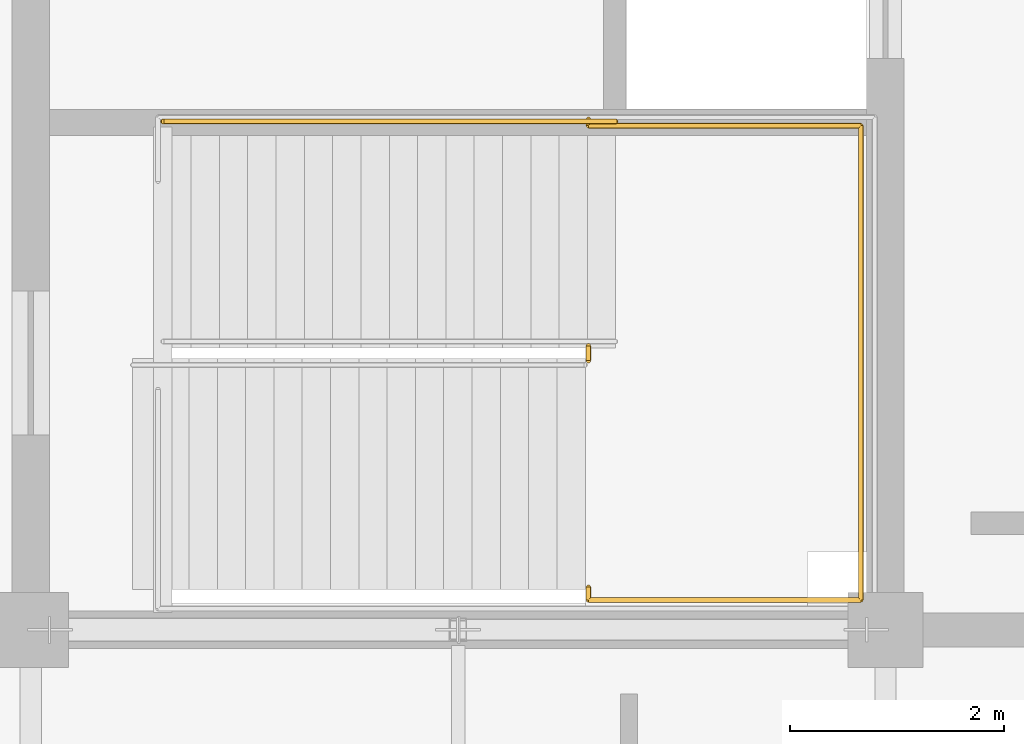
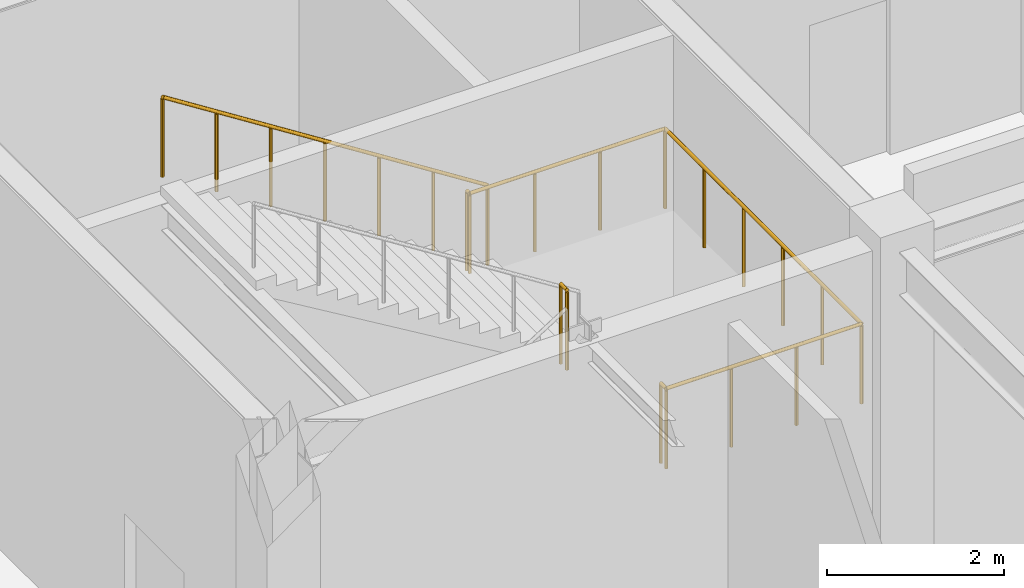
# One storey, part 114 of 119: 3 railings.
"""IFC4 building model written with IfcOpenShell, lengths in metres."""

from ifc_helpers import new_model, si_unit, direction, frame, origin, origin_2d, place, context, subcontext, project, spatial, circle, extrude, material, type_object, element, save


model = new_model("IFC4")

# Units and contexts
model_context = context("Model", 3, precision=1e-05, world=origin(), true_north=direction((0.0, 1.0)))
body_context = subcontext(model_context, "Body", "Model", "MODEL_VIEW")
ifc_project = project(units=[si_unit("LENGTHUNIT", "METRE"), si_unit("AREAUNIT", "SQUARE_METRE"), si_unit("VOLUMEUNIT", "CUBIC_METRE"), si_unit("PLANEANGLEUNIT", "RADIAN"), si_unit("MASSUNIT", "GRAM", prefix="KILO")], contexts=[model_context])

# Site, building, storey
site_placement = place(None, origin())
site = spatial("IfcSite", under=ifc_project, at=site_placement, CompositionType="ELEMENT")
building_placement = place(site_placement, origin())
building = spatial("IfcBuilding", under=site, at=building_placement, Name="Zhaolan Boulevard Law Courts", CompositionType="ELEMENT")
storey_placement = place(building_placement, origin())
storey = spatial("IfcBuildingStorey", under=building, at=storey_placement, Name="L00", CompositionType="ELEMENT", Elevation=0.0)

# Railings
ifc_material = material(Name="Powder-coated steel baluster guardrail", Category="steel")
railing_type = type_object("IfcRailingType", Name="STAIR WELL GUARDRAIL 1120", PredefinedType="GUARDRAIL", material=ifc_material)
railing_1_placement = place(storey_placement, frame((81.219970703125, 94.39990234375, 2.699951171875)))
element("IfcRailing", 1, at=railing_1_placement, inside=storey, type_object=railing_type, Name="Half-Landing Guardrail SG-ST11-L00-M", PredefinedType="GUARDRAIL", context=body_context, shape_type="SweptSolid", body=[
    extrude(circle(Radius=0.02392578125, at=origin_2d()), frame((0.0, 0.0, 1.09619140625), z_axis=(0.0, -1.0, 0.0), x_axis=(1.0, 0.0, 0.0)), (0.0, 0.0, 1.0), 0.119873046875),
    extrude(circle(Radius=0.02392578125, at=origin_2d()), frame((0.0, -0.119873046875, 1.09619140625), z_axis=(1.0, 0.0, 0.0), x_axis=(0.0, 1.0, 0.0)), (0.0, 0.0, 1.0), 2.550048828125),
    extrude(circle(Radius=0.02392578125, at=origin_2d()), frame((2.550048828125, -0.119873046875, 1.09619140625), z_axis=(0.0, 1.0, 0.0), x_axis=(-1.0, 0.0, 0.0)), (0.0, 0.0, 1.0), 4.43994140625),
    extrude(circle(Radius=0.02392578125, at=origin_2d()), frame((2.550048828125, 4.320068359375, 1.09619140625), z_axis=(-1.0, 0.0, 0.0), x_axis=(0.0, -1.0, 0.0)), (0.0, 0.0, 1.0), 2.550048828125),
    extrude(circle(Radius=0.02392578125, at=origin_2d()), frame((0.0, 4.320068359375, 1.09619140625), z_axis=(0.0, 1.0, 0.0), x_axis=(-1.0, 0.0, 0.0)), (0.0, 0.0, 1.0), 0.06005859375),
    extrude(circle(Radius=0.02099609375, at=origin_2d()), origin(), (0.0, 0.0, 1.0), 1.072021484375),
    extrude(circle(Radius=0.02099609375, at=origin_2d()), frame((0.0, -0.119873046875, 0.0)), (0.0, 0.0, 1.0), 1.072021484375),
    extrude(circle(Radius=0.02099609375, at=origin_2d()), frame((0.85009765625, -0.119873046875, 0.0)), (0.0, 0.0, 1.0), 1.072021484375),
    extrude(circle(Radius=0.02099609375, at=origin_2d()), frame((1.699951171875, -0.119873046875, 0.0)), (0.0, 0.0, 1.0), 1.072021484375),
    extrude(circle(Radius=0.02099609375, at=origin_2d()), frame((2.550048828125, -0.119873046875, 0.0)), (0.0, 0.0, 1.0), 1.072021484375),
    extrude(circle(Radius=0.02099609375, at=origin_2d()), frame((2.550048828125, 0.76806640625, 0.0)), (0.0, 0.0, 1.0), 1.072021484375),
    extrude(circle(Radius=0.02099609375, at=origin_2d()), frame((2.550048828125, 1.656005859375, 0.0)), (0.0, 0.0, 1.0), 1.072021484375),
    extrude(circle(Radius=0.02099609375, at=origin_2d()), frame((2.550048828125, 2.544189453125, 0.0)), (0.0, 0.0, 1.0), 1.072021484375),
    extrude(circle(Radius=0.02099609375, at=origin_2d()), frame((2.550048828125, 3.43212890625, 0.0)), (0.0, 0.0, 1.0), 1.072021484375),
    extrude(circle(Radius=0.02099609375, at=origin_2d()), frame((2.550048828125, 4.320068359375, 0.0)), (0.0, 0.0, 1.0), 1.072021484375),
    extrude(circle(Radius=0.02099609375, at=origin_2d()), frame((1.699951171875, 4.320068359375, 0.0)), (0.0, 0.0, 1.0), 1.072021484375),
    extrude(circle(Radius=0.02099609375, at=origin_2d()), frame((0.85009765625, 4.320068359375, 0.0)), (0.0, 0.0, 1.0), 1.072021484375),
    extrude(circle(Radius=0.02099609375, at=origin_2d()), frame((0.0, 4.320068359375, 0.0)), (0.0, 0.0, 1.0), 1.072021484375),
    extrude(circle(Radius=0.02099609375, at=origin_2d()), frame((0.0, 4.380126953125, 0.0)), (0.0, 0.0, 1.0), 1.072021484375),
])
railing_2_placement = place(storey_placement, frame((81.219970703125, 96.52001953125, 2.699951171875)))
element("IfcRailing", 2, at=railing_2_placement, inside=storey, type_object=railing_type, Name="Half-Landing Well Guardrail SG-ST11-L00-W", PredefinedType="GUARDRAIL", context=body_context, shape_type="SweptSolid", body=[
    extrude(circle(Radius=0.02392578125, at=origin_2d()), frame((0.0, 0.0, 1.09619140625), z_axis=(0.0, 1.0, 0.0), x_axis=(-1.0, 0.0, 0.0)), (0.0, 0.0, 1.0), 0.139892578125),
    extrude(circle(Radius=0.02099609375, at=origin_2d()), origin(), (0.0, 0.0, 1.0), 1.072021484375),
    extrude(circle(Radius=0.02099609375, at=origin_2d()), frame((0.0, 0.139892578125, 0.0)), (0.0, 0.0, 1.0), 1.072021484375),
])
railing_3_placement = place(storey_placement, frame((81.47509765625, 98.760009765625, 2.699951171875)))
element("IfcRailing", 3, at=railing_3_placement, inside=storey, type_object=railing_type, Name="Flight Guardrail SG-ST11-L00-F2", PredefinedType="GUARDRAIL", context=body_context, shape_type="SweptSolid", body=[
    extrude(circle(Radius=0.02392578125, at=origin_2d()), frame((0.0, 0.0, 1.09619140625), z_axis=(-0.843501457581, 0.0, 0.537126885437), x_axis=(0.0, -1.0, 0.0)), (0.0, 0.0, 1.0), 5.026611328125),
    extrude(circle(Radius=0.02099609375, at=origin_2d()), origin(), (0.0, 0.0, 1.0), 1.072021484375),
    extrude(circle(Radius=0.02099609375, at=origin_2d()), frame((-0.70654296875, 0.0, 0.449951171875)), (0.0, 0.0, 1.0), 1.072021484375),
    extrude(circle(Radius=0.02099609375, at=origin_2d()), frame((-1.413330078125, 0.0, 0.89990234375)), (0.0, 0.0, 1.0), 1.072021484375),
    extrude(circle(Radius=0.02099609375, at=origin_2d()), frame((-2.1201171875, 0.0, 1.35009765625)), (0.0, 0.0, 1.0), 1.072021484375),
    extrude(circle(Radius=0.02099609375, at=origin_2d()), frame((-2.82666015625, 0.0, 1.800048828125)), (0.0, 0.0, 1.0), 1.072021484375),
    extrude(circle(Radius=0.02099609375, at=origin_2d()), frame((-3.533203125, 0.0, 2.25)), (0.0, 0.0, 1.0), 1.072021484375),
    extrude(circle(Radius=0.02099609375, at=origin_2d()), frame((-4.239990234375, 0.0, 2.699951171875)), (0.0, 0.0, 1.0), 1.072021484375),
])

save(model, "model.ifc")
